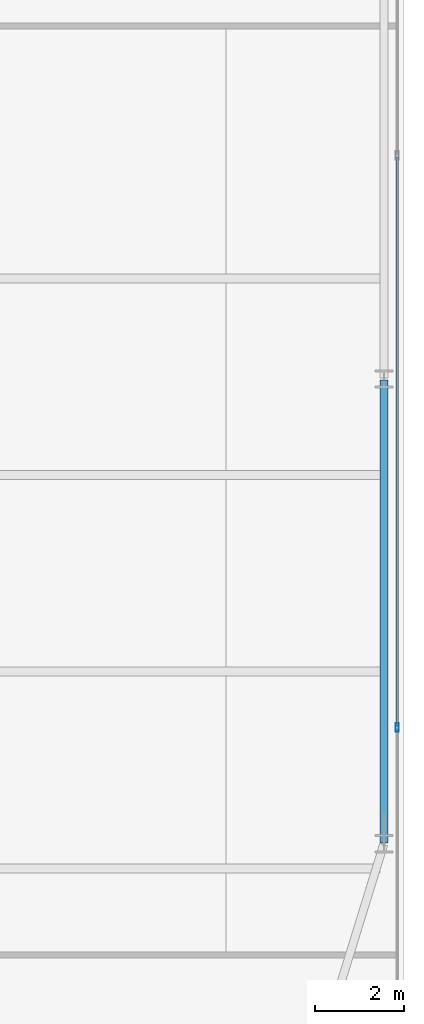
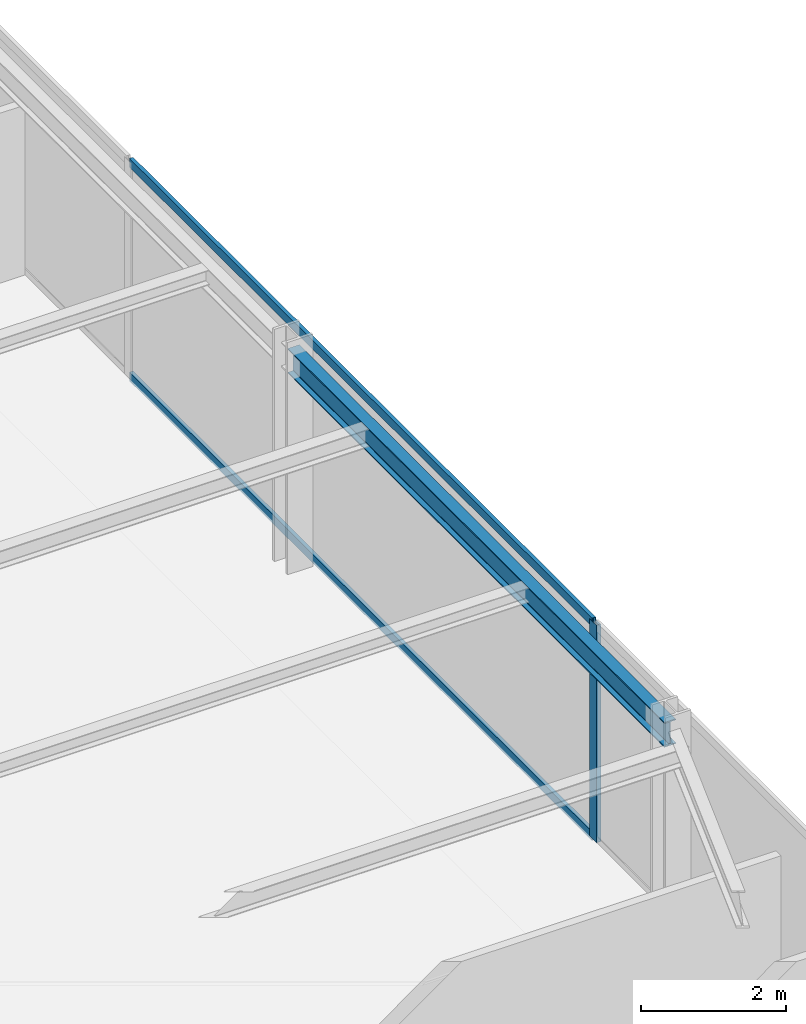
# One storey, part 18 of 32: 3 members, 1 beam, 1 element without a shape of its own.
"""IFC4 building model written with IfcOpenShell, lengths in metres."""

import ifcopenshell
import ifcopenshell.guid

model = None  # the IFC model being written
_history = None  # IfcOwnerHistory: only IFC2X3 demands one
_inside = {}  # id of a spatial element -> (the spatial element, [elements in it])
_under = {}  # id of a project, library or spatial element -> (it, [spatial elements below it])
_declared = {}  # id of a project -> (the project, [libraries it declares])
_typed = {}  # id of a type object -> (the type object, [elements of that type])
_made_of = {}  # id of a material, layer set ... -> (it, [elements and type objects made of it])


def new_model(schema):
    """Start an empty IFC model of exactly this schema.

    Asked for "IFC4X3", IfcOpenShell would pick the latest addendum, in which some entities
    have other attributes; the version numbers below select the first issue.
    IFC2X3 requires an IfcOwnerHistory on every rooted entity: one is made here for all.
    """
    global model, _history
    if schema == "IFC4X3":
        model = ifcopenshell.file(schema_version=(4, 3, 0, 0))
    else:
        model = ifcopenshell.file(schema=schema)
    _inside.clear()
    _under.clear()
    _declared.clear()
    _typed.clear()
    _made_of.clear()
    _history = None
    if model.schema == "IFC2X3":
        org = make("IfcOrganization", Name="unknown")
        user = make(
            "IfcPersonAndOrganization",
            ThePerson=make("IfcPerson", FamilyName="unknown"),
            TheOrganization=org,
        )
        app = make(
            "IfcApplication",
            ApplicationDeveloper=org,
            Version="unknown",
            ApplicationFullName="unknown",
            ApplicationIdentifier="unknown",
        )
        _history = make(
            "IfcOwnerHistory",
            OwningUser=user,
            OwningApplication=app,
            ChangeAction="ADDED",
            CreationDate=0,
        )
    return model


def make(cls, **values):
    """One entity of the class cls with the attributes given. An attribute that is None is left unset."""
    return model.create_entity(
        cls, **{name: value for name, value in values.items() if value is not None}
    )


def rooted(cls, **values):
    """An entity with a GlobalId (a new one), such as an element, a storey or a relation."""
    return make(cls, GlobalId=ifcopenshell.guid.new(), OwnerHistory=_history, **values)


def si_unit(unit_type, name, prefix=None):
    """IfcSIUnit, for example si_unit("LENGTHUNIT", "METRE", prefix="MILLI")."""
    return make("IfcSIUnit", UnitType=unit_type, Prefix=prefix, Name=name)


def assignment(units):
    """IfcUnitAssignment: the units of a project."""
    return None if units is None else make("IfcUnitAssignment", Units=units)


def point(xyz):
    """IfcCartesianPoint."""
    return None if xyz is None else make("IfcCartesianPoint", Coordinates=xyz)


def direction(xyz):
    """IfcDirection."""
    return None if xyz is None else make("IfcDirection", DirectionRatios=xyz)


def frame(location, z_axis=None, x_axis=None):
    """IfcAxis2Placement3D, a coordinate frame: its origin and axes. An axis left out is left unset."""
    return make(
        "IfcAxis2Placement3D",
        Location=point(location),
        Axis=direction(z_axis),
        RefDirection=direction(x_axis),
    )


def frame_2d(location, x_axis=None):
    """IfcAxis2Placement2D, a coordinate frame in the plane: its origin and x axis."""
    return make(
        "IfcAxis2Placement2D", Location=point(location), RefDirection=direction(x_axis)
    )


def origin():
    """The frame at (0, 0, 0) with its axes left unset."""
    return frame((0.0, 0.0, 0.0))


def origin_2d():
    """The frame at (0, 0) in the plane with its x axis left unset."""
    return frame_2d((0.0, 0.0))


def place(relative_to, where):
    """IfcLocalPlacement: puts the frame where relative to a parent placement (None: the world)."""
    return make(
        "IfcLocalPlacement", PlacementRelTo=relative_to, RelativePlacement=where
    )


def context(
    kind, dimensions, precision=None, world=None, true_north=None, identifier=None
):
    """IfcGeometricRepresentationContext, for example the 3D "Model" context."""
    return make(
        "IfcGeometricRepresentationContext",
        ContextIdentifier=identifier,
        ContextType=kind,
        CoordinateSpaceDimension=dimensions,
        Precision=precision,
        WorldCoordinateSystem=world,
        TrueNorth=true_north,
    )


def subcontext(parent, identifier, kind, view, scale=None):
    """IfcGeometricRepresentationSubContext, for example "Body" below "Model"."""
    return make(
        "IfcGeometricRepresentationSubContext",
        ContextIdentifier=identifier,
        ContextType=kind,
        ParentContext=parent,
        TargetScale=scale,
        TargetView=view,
    )


def project(units=None, contexts=None):
    """IfcProject with its units and contexts."""
    return rooted(
        "IfcProject",
        Name="project",
        RepresentationContexts=contexts,
        UnitsInContext=assignment(units),
    )


def spatial(cls, under=None, at=None, **own):
    """A site, building, storey or space (cls), placed at a placement, below another one or the project."""
    s = rooted(cls, ObjectPlacement=at, **own)
    if under is not None:
        _under.setdefault(under.id(), (under, []))[1].append(s)
    return s


def profile(cls, at=None, kind="AREA", **sizes):
    """A parametric profile (cls). Its sizes go by their IFC names, for example OverallWidth=200.0."""
    return make(cls, ProfileType=kind, Position=at, **sizes)


def hollow_rectangle(**sizes):
    """IfcRectangleHollowProfileDef."""
    return profile("IfcRectangleHollowProfileDef", **sizes)


def i_section(**sizes):
    """IfcIShapeProfileDef."""
    return profile("IfcIShapeProfileDef", **sizes)


def extrude(swept, where, along, depth):
    """IfcExtrudedAreaSolid: the profile swept, set in the frame where, extruded along a direction by depth."""
    return make(
        "IfcExtrudedAreaSolid",
        SweptArea=swept,
        Position=where,
        ExtrudedDirection=direction(along),
        Depth=depth,
    )


def shape(context_of_items, identifier, shape_type, items):
    """IfcShapeRepresentation: the items that make up one representation, for example the "Body"."""
    return make(
        "IfcShapeRepresentation",
        ContextOfItems=context_of_items,
        RepresentationIdentifier=identifier,
        RepresentationType=shape_type,
        Items=items,
    )


def source(mapping_origin, context_of_items, identifier, shape_type, items):
    """IfcRepresentationMap: a shape defined once, which mapped items show again and again."""
    return make(
        "IfcRepresentationMap",
        MappingOrigin=mapping_origin,
        MappedRepresentation=shape(context_of_items, identifier, shape_type, items),
    )


def transform(
    local_origin,
    x_axis=None,
    y_axis=None,
    z_axis=None,
    scale=None,
    scale2=None,
    scale3=None,
    uniform=True,
):
    """IfcCartesianTransformationOperator3D, or its non-uniform kind. x_axis, y_axis, z_axis: its Axis1, 2, 3."""
    if uniform:
        return make(
            "IfcCartesianTransformationOperator3D",
            Axis1=direction(x_axis),
            Axis2=direction(y_axis),
            LocalOrigin=point(local_origin),
            Scale=scale,
            Axis3=direction(z_axis),
        )
    return make(
        "IfcCartesianTransformationOperator3DnonUniform",
        Axis1=direction(x_axis),
        Axis2=direction(y_axis),
        LocalOrigin=point(local_origin),
        Scale=scale,
        Axis3=direction(z_axis),
        Scale2=scale2,
        Scale3=scale3,
    )


def mapped(mapping_source, mapping_target):
    """IfcMappedItem: shows the shape of a source again, moved by a transform."""
    return make(
        "IfcMappedItem", MappingSource=mapping_source, MappingTarget=mapping_target
    )


def material(Name=None, Category=None):
    """IfcMaterial."""
    return make("IfcMaterial", Name=Name, Category=Category)


def layer(
    of_material, thickness, ventilated=None, Name=None, Category=None, Priority=None
):
    """IfcMaterialLayer: one layer of a wall or slab, of a material (None: an air gap)."""
    return make(
        "IfcMaterialLayer",
        Material=of_material,
        LayerThickness=thickness,
        IsVentilated=ventilated,
        Name=Name,
        Category=Category,
        Priority=Priority,
    )


def layer_set(layers, Name=None):
    """IfcMaterialLayerSet."""
    return make("IfcMaterialLayerSet", MaterialLayers=layers, LayerSetName=Name)


def material_profile(
    of_material, cross_section, Name=None, Category=None, Priority=None
):
    """IfcMaterialProfile: a cross section and its material."""
    return make(
        "IfcMaterialProfile",
        Name=Name,
        Material=of_material,
        Profile=cross_section,
        Priority=Priority,
        Category=Category,
    )


def profile_set(profiles, Name=None, composite=None):
    """IfcMaterialProfileSet."""
    return make(
        "IfcMaterialProfileSet",
        Name=Name,
        MaterialProfiles=profiles,
        CompositeProfile=composite,
    )


def made_of(thing, what):
    """Note that an element or type object is made of a material, layer set ...; save() writes the relation."""
    if what is not None:
        _made_of.setdefault(what.id(), (what, []))[1].append(thing)
    return thing


def type_object(cls, material=None, **own):
    """A type object (cls), such as IfcWallType, which elements share."""
    return made_of(rooted(cls, **own), material)


def type_shapes(of_type, sources):
    """Give a type object the sources (RepresentationMaps) that its elements show as mapped items."""
    of_type.RepresentationMaps = sources


def element(
    cls,
    number,
    at=None,
    inside=None,
    cuts=None,
    type_object=None,
    material=None,
    context=None,
    identifier="Body",
    shape_type=None,
    held_by="IfcProductDefinitionShape",
    body=None,
    shapes=None,
    **own,
):
    """One element of the class cls, such as IfcWall. Its Tag is "e" and its number.

    at: its placement. inside: the storey or other place that contains it. cuts: it is an
    opening in that element (IfcRelVoidsElement). A single representation is given by context,
    identifier, shape_type and body (its items); several are given by shapes. held_by: the class
    of the entity that holds the representations. save() writes the other relations.
    """
    e = rooted(cls, Tag="e%d" % number, ObjectPlacement=at, **own)
    if body is not None:
        shapes = [shape(context, identifier, shape_type, body)]
    if shapes is not None:
        e.Representation = make(held_by, Representations=shapes)
    if inside is not None:
        _inside.setdefault(inside.id(), (inside, []))[1].append(e)
    if cuts is not None:
        rooted(
            "IfcRelVoidsElement", RelatingBuildingElement=cuts, RelatedOpeningElement=e
        )
    if type_object is not None:
        _typed.setdefault(type_object.id(), (type_object, []))[1].append(e)
    return made_of(e, material)


def aggregate(whole, parts):
    """IfcRelAggregates: a whole, such as a stair, and the parts it consists of."""
    return rooted("IfcRelAggregates", RelatingObject=whole, RelatedObjects=parts)


def save(model, path):
    """Write the relations noted so far, then the file.

    IfcRelAggregates (storeys below a building ...), IfcRelContainedInSpatialStructure (elements
    in a storey), IfcRelDefinesByType, IfcRelAssociatesMaterial and IfcRelDeclares: one each for
    every whole, place, type object, material and project.
    """
    for whole, parts in _under.values():
        aggregate(whole, parts)
    for where, things in _inside.values():
        rooted(
            "IfcRelContainedInSpatialStructure",
            RelatedElements=things,
            RelatingStructure=where,
        )
    for kind, things in _typed.values():
        rooted("IfcRelDefinesByType", RelatedObjects=things, RelatingType=kind)
    for what, things in _made_of.values():
        rooted("IfcRelAssociatesMaterial", RelatedObjects=things, RelatingMaterial=what)
    for by, libraries in _declared.values():
        rooted("IfcRelDeclares", RelatingContext=by, RelatedDefinitions=libraries)
    model.write(path)


model = new_model("IFC4")

# Units and contexts
model_context = context("Model", 3, precision=1e-05, world=origin(), true_north=direction((0.0, 1.0)))
body_context = subcontext(model_context, "Body", "Model", "MODEL_VIEW")
ifc_project = project(units=[si_unit("LENGTHUNIT", "METRE"), si_unit("AREAUNIT", "SQUARE_METRE"), si_unit("VOLUMEUNIT", "CUBIC_METRE"), si_unit("PLANEANGLEUNIT", "RADIAN"), si_unit("MASSUNIT", "GRAM", prefix="KILO")], contexts=[model_context])

# Site, building, storey
site_placement = place(None, origin())
site = spatial("IfcSite", under=ifc_project, at=site_placement, CompositionType="ELEMENT")
building_placement = place(site_placement, origin())
building = spatial("IfcBuilding", under=site, at=building_placement, Name="Varnel Quay Broadcast Tower", CompositionType="ELEMENT")
storey_placement = place(building_placement, frame((0.0, 0.0, 54.89990234375)))
storey = spatial("IfcBuildingStorey", under=building, at=storey_placement, Name="L12", CompositionType="ELEMENT", Elevation=54.89990234375)

# Beam
ifc_material_1 = material(Name="Structural Steel CSA G40.21 350W", Category="steel")
ifc_material_profile_1 = material_profile(ifc_material_1, i_section(OverallWidth=0.180908203125, OverallDepth=0.4169921875, WebThickness=0.010986328125, FlangeThickness=0.018310546875, FilletRadius=0.011962890625, at=origin_2d()), Name="W410X85")
ifc_profile_set_1 = profile_set([ifc_material_profile_1], Name="Structural Steel CSA G40.21 350W")
beam_type = type_object("IfcBeamType", Name="Beam_W410X85", PredefinedType="SPANDREL", material=ifc_profile_set_1)
shared_shape_1 = source(origin(), body_context, "Body", "SweptSolid", [
    extrude(i_section(OverallWidth=0.180908203125, OverallDepth=0.4169921875, WebThickness=0.010986328125, FlangeThickness=0.018310546875, FilletRadius=0.011962890625, at=origin_2d()), origin(), (0.0, 0.0, 1.0), 10.35986328125),
])
type_shapes(beam_type, [shared_shape_1])
beam_placement = place(storey_placement, frame((65.550048828125, 15.02001953125, 3.441650390625), z_axis=(0.0, 1.0, 0.0), x_axis=(-1.0, 0.0, 0.0)))
element("IfcBeam", 1, at=beam_placement, inside=storey, type_object=beam_type, Name="L12 East Spandrel TC-E1-TC-E2", PredefinedType="SPANDREL", context=body_context, shape_type="MappedRepresentation", body=[
    mapped(shared_shape_1, transform((0.0, 0.0, 0.0), x_axis=(1.0, 0.0, 0.0), y_axis=(0.0, 1.0, 0.0), z_axis=(0.0, 0.0, 1.0), scale=1.0)),
])

# Curtain wall, members
ifc_material_2 = material(Name="Anodised Bronze Aluminium 6063-T6", Category="aluminium")
ifc_layer = layer(ifc_material_2, 0.18994140625, Name="Anodised Bronze Aluminium 6063-T6")
ifc_layer_set = layer_set([ifc_layer], Name="Anodised Bronze Aluminium 6063-T6")
curtain_wall_type = type_object("IfcCurtainWallType", Name="CW_LowerTower", PredefinedType="NOTDEFINED", material=ifc_layer_set)
curtain_wall_placement = place(storey_placement, origin())
curtain_wall = element("IfcCurtainWall", 2, at=curtain_wall_placement, inside=storey, type_object=curtain_wall_type, Name="L12 East Unitised Curtain Wall", PredefinedType="NOTDEFINED")
ifc_material_profile_2 = material_profile(ifc_material_2, hollow_rectangle(XDim=0.06005859375, YDim=0.14501953125, WallThickness=0.00341796875, at=origin_2d()), Name="ALU60X145X3.5")
ifc_profile_set_2 = profile_set([ifc_material_profile_2], Name="Anodised Bronze Aluminium 6063-T6")
member_type_1 = type_object("IfcMemberType", Name="Tran_CWS-02", PredefinedType="USERDEFINED", material=ifc_profile_set_2)
shared_shape_2 = source(origin(), body_context, "Body", "SweptSolid", [
    extrude(hollow_rectangle(XDim=0.06005859375, YDim=0.14501953125, WallThickness=0.00341796875, at=origin_2d()), origin(), (0.0, 0.0, 1.0), 12.72998046875),
])
type_shapes(member_type_1, [shared_shape_2])
member_1_placement = place(storey_placement, frame((65.85009765625, 17.635009765625, 0.030029296875), z_axis=(0.0, 1.0, 0.0), x_axis=(-1.0, 0.0, 0.0)))
member_1 = element("IfcMember", 3, at=member_1_placement, type_object=member_type_1, Name="CWS-02 transom 2.1", ObjectType="TRANSOM", PredefinedType="USERDEFINED", context=body_context, shape_type="MappedRepresentation", body=[
    mapped(shared_shape_2, transform((0.0, 0.0, 0.0), x_axis=(1.0, 0.0, 0.0), y_axis=(0.0, 1.0, 0.0), z_axis=(0.0, 0.0, 1.0), scale=1.0)),
])
member_2_placement = place(storey_placement, frame((65.85009765625, 17.635009765625, 3.6201171875), z_axis=(0.0, 1.0, 0.0), x_axis=(-1.0, 0.0, 0.0)))
member_2 = element("IfcMember", 4, at=member_2_placement, type_object=member_type_1, Name="CWS-02 transom 2.2", ObjectType="TRANSOM", PredefinedType="USERDEFINED", context=body_context, shape_type="MappedRepresentation", body=[
    mapped(shared_shape_2, transform((0.0, 0.0, 0.0), x_axis=(1.0, 0.0, 0.0), y_axis=(0.0, 1.0, 0.0), z_axis=(0.0, 0.0, 1.0), scale=1.0)),
])
ifc_material_profile_3 = material_profile(ifc_material_2, hollow_rectangle(XDim=0.070068359375, YDim=0.18994140625, WallThickness=0.00390625, at=origin_2d()), Name="ALU70X190X4")
ifc_profile_set_3 = profile_set([ifc_material_profile_3], Name="Anodised Bronze Aluminium 6063-T6")
member_type_2 = type_object("IfcMemberType", Name="Mull_CWS-02", PredefinedType="MULLION", material=ifc_profile_set_3)
shared_shape_3 = source(origin(), body_context, "Body", "SweptSolid", [
    extrude(hollow_rectangle(XDim=0.070068359375, YDim=0.18994140625, WallThickness=0.00390625, at=origin_2d()), origin(), (0.0, 0.0, 1.0), 3.650146484375),
])
type_shapes(member_type_2, [shared_shape_3])
member_3_placement = place(storey_placement, frame((65.85009765625, 17.60009765625, 0.0), z_axis=(0.0, 0.0, 1.0), x_axis=(-1.0, 0.0, 0.0)))
member_3 = element("IfcMember", 5, at=member_3_placement, type_object=member_type_2, Name="CWS-02 mullion 2", PredefinedType="MULLION", context=body_context, shape_type="MappedRepresentation", body=[
    mapped(shared_shape_3, transform((0.0, 0.0, 0.0), x_axis=(1.0, 0.0, 0.0), y_axis=(0.0, 1.0, 0.0), z_axis=(0.0, 0.0, 1.0), scale=1.0)),
])
aggregate(curtain_wall, [member_3, member_1, member_2])

save(model, "model.ifc")
